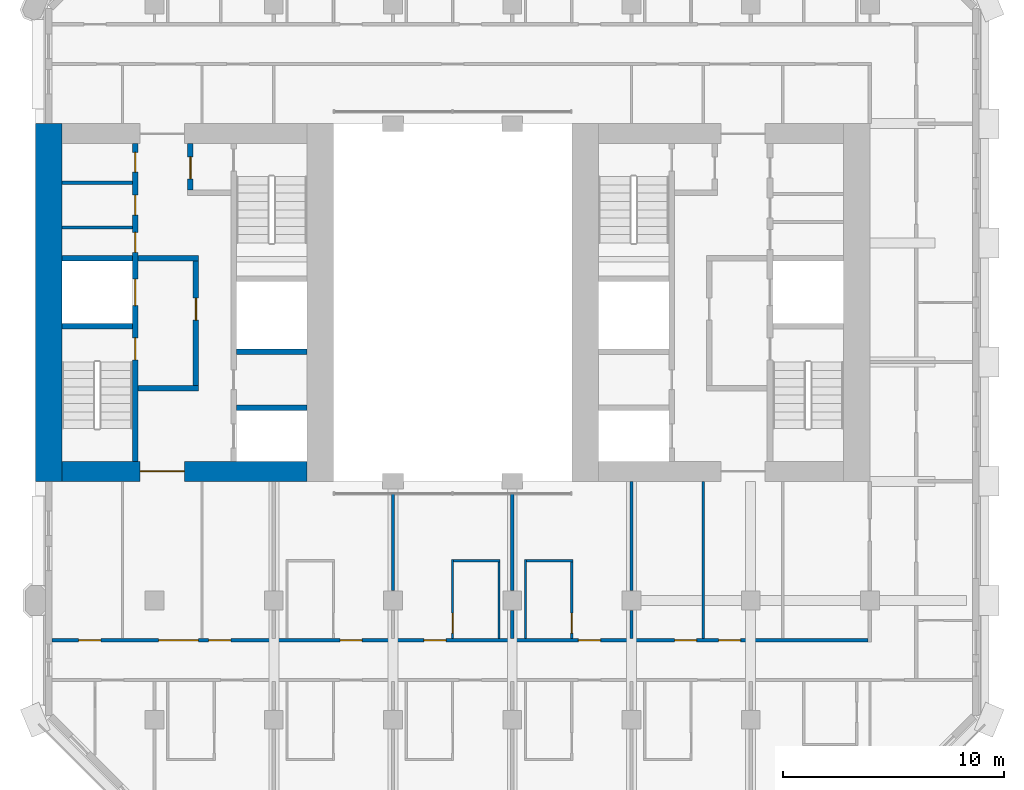
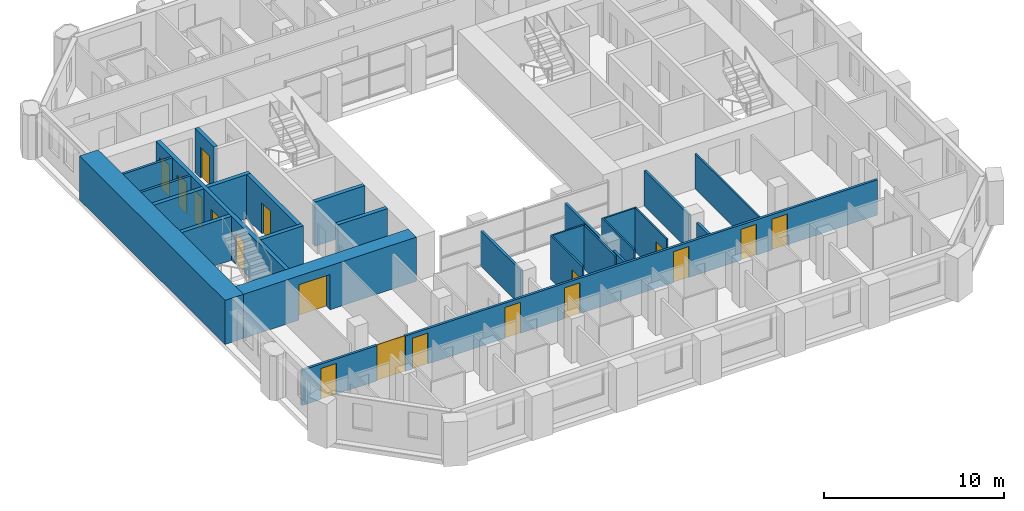
# One storey, part 9 of 16: 26 walls, 18 doors, 18 openings.
"""IFC4 building model written with IfcOpenShell, lengths in metres."""

from ifc_helpers import new_model, si_unit, direction, frame, frame_2d, origin, place, context, subcontext, project, spatial, rectangle, extrude, material, layer, layer_set, type_object, element, fill, save


model = new_model("IFC4")

# Units and contexts
model_context = context("Model", 3, precision=1e-05, world=origin(), true_north=direction((0.0, 1.0)))
body_context = subcontext(model_context, "Body", "Model", "MODEL_VIEW")
ifc_project = project(units=[si_unit("LENGTHUNIT", "METRE"), si_unit("AREAUNIT", "SQUARE_METRE"), si_unit("VOLUMEUNIT", "CUBIC_METRE"), si_unit("PLANEANGLEUNIT", "RADIAN"), si_unit("MASSUNIT", "GRAM", prefix="KILO")], contexts=[model_context])

# Site, building, storey
site_placement = place(None, origin())
site = spatial("IfcSite", under=ifc_project, at=site_placement, CompositionType="ELEMENT")
building_placement = place(site_placement, origin())
building = spatial("IfcBuilding", under=site, at=building_placement, Name="Tabaq Tower and Sports Hall", CompositionType="ELEMENT")
storey_placement = place(building_placement, frame((0.0, 0.0, 156.10009765625)))
storey = spatial("IfcBuildingStorey", under=building, at=storey_placement, Name="L36", CompositionType="ELEMENT", Elevation=156.10009765625)

# Walls
ifc_material_1 = material(Name="Blockwork", Category="masonry")
ifc_layer_1 = layer(ifc_material_1, 0.14990234375)
ifc_layer_set_1 = layer_set([ifc_layer_1], Name="Core room partition 150 Blockwork")
wall_type_1 = type_object("IfcWallType", Name="Core room partition 150 Blockwork", PredefinedType="PARTITIONING", material=ifc_layer_set_1)
for number, where, z_axis, x_axis, name in (
    (1, (6.60009765625, 27.694091796875, 0.0), (0.0, 0.0, 1.0), (1.0, 0.0, 0.0), "Core room partition W L36"),
    (2, (6.60009765625, 29.72412109375, 0.0), (0.0, 0.0, 1.0), (1.0, 0.0, 0.0), "Core room partition W L36"),
):
    element("IfcWall", number, at=place(storey_placement, frame(where, z_axis=z_axis, x_axis=x_axis)), inside=storey, type_object=wall_type_1, Name=name, PredefinedType="PARTITIONING", context=body_context, shape_type="SweptSolid", body=[
        extrude(rectangle(XDim=3.199951171875, YDim=0.14990234375, at=frame_2d((1.60009765625, 0.0))), origin(), (0.0, 0.0, 1.0), 3.0),
    ])
ifc_material_2 = material(Name="Concrete C50/60", Category="concrete")
ifc_layer_2 = layer(ifc_material_2, 1.199951171875)
ifc_layer_set_2 = layer_set([ifc_layer_2], Name="Core wall 1200 Concrete C50/60")
wall_type_2 = type_object("IfcWallType", Name="Core wall 1200 Concrete C50/60", PredefinedType="SOLIDWALL", material=ifc_layer_set_2)
wall_1_placement = place(storey_placement, frame((6.0, 16.199951171875, 0.0), z_axis=(0.0, 0.0, 1.0), x_axis=(0.0, 1.0, 0.0)))
element("IfcWall", 3, at=wall_1_placement, inside=storey, type_object=wall_type_2, Name="Core wall W L36", PredefinedType="SOLIDWALL", context=body_context, shape_type="SweptSolid", body=[
    extrude(rectangle(XDim=16.199951171875, YDim=1.199951171875, at=frame_2d((8.10009765625, 0.0))), origin(), (0.0, 0.0, 1.0), 3.0),
])

# Wall, opening, door
ifc_material_3 = material(Name="Concrete C50/60", Category="concrete")
ifc_layer_3 = layer(ifc_material_3, 0.89990234375)
ifc_layer_set_3 = layer_set([ifc_layer_3], Name="Core wall 900 Concrete C50/60")
wall_type_3 = type_object("IfcWallType", Name="Core wall 900 Concrete C50/60", PredefinedType="SOLIDWALL", material=ifc_layer_set_3)
wall_2_placement = place(storey_placement, frame((17.699951171875, 16.64990234375, 0.0), z_axis=(0.0, 0.0, 1.0), x_axis=(-1.0, 0.0, 0.0)))
wall_2 = element("IfcWall", 4, at=wall_2_placement, inside=storey, type_object=wall_type_3, Name="Core wall W L36", PredefinedType="SOLIDWALL", context=body_context, shape_type="SweptSolid", body=[
    extrude(rectangle(XDim=11.099853515625, YDim=0.89990234375, at=frame_2d((5.5498046875, 0.0))), origin(), (0.0, 0.0, 1.0), 3.0),
])
opening_1_placement = place(wall_2_placement, frame((5.550048828125, 0.0, 0.0)))
opening_1 = element("IfcOpeningElement", 5, at=opening_1_placement, cuts=wall_2, Name="Opening PD-WL36-01", PredefinedType="OPENING", context=body_context, shape_type="SweptSolid", body=[
    extrude(rectangle(XDim=2.0, YDim=2.39990234375, at=frame_2d((1.0, 1.199951171875))), frame((0.0, 0.449951171875, 0.0), z_axis=(0.0, -1.0, 0.0), x_axis=(1.0, 0.0, 0.0)), (0.0, 0.0, 1.0), 0.89990234375),
])
ifc_material_4 = material(Name="Steel fire door", Category="steel")
door_type_1 = type_object("IfcDoorType", Name="Core entrance door 2000", OperationType="DOUBLE_DOOR_SINGLE_SWING", PredefinedType="DOOR", material=ifc_material_4)
door_1_placement = place(opening_1_placement, origin())
door_1 = element("IfcDoor", 6, at=door_1_placement, inside=storey, type_object=door_type_1, Name="Core entrance south W L36", OperationType="DOUBLE_DOOR_SINGLE_SWING", OverallHeight=2.39990234375, OverallWidth=2.0, PredefinedType="DOOR", context=body_context, shape_type="SweptSolid", body=[
    extrude(rectangle(XDim=2.0, YDim=2.39990234375, at=frame_2d((1.0, 1.199951171875))), frame((0.0, 0.02490234375, 0.0), z_axis=(0.0, -1.0, 0.0), x_axis=(1.0, 0.0, 0.0)), (0.0, 0.0, 1.0), 0.050048828125),
])
fill(opening_1, door_1)

ifc_material_5 = material(Name="Gypsum board on steel studs", Category="steel")
ifc_layer_4 = layer(ifc_material_5, 0.10009765625)
ifc_layer_set_4 = layer_set([ifc_layer_4], Name="Partition 100 Gypsum board")
wall_type_4 = type_object("IfcWallType", Name="Partition 100 Gypsum board", PredefinedType="PARTITIONING", material=ifc_layer_set_4)
wall_3_placement = place(storey_placement, frame((24.300048828125, 9.074951171875, 0.0), z_axis=(0.0, 0.0, 1.0), x_axis=(0.0, 1.0, 0.0)))
wall_3 = element("IfcWall", 7, at=wall_3_placement, inside=storey, type_object=wall_type_4, Name="Partition wall L36", PredefinedType="PARTITIONING", context=body_context, shape_type="SweptSolid", body=[
    extrude(rectangle(XDim=3.574951171875, YDim=0.10009765625, at=frame_2d((1.78759765625, 0.0))), origin(), (0.0, 0.0, 1.0), 3.0),
])
opening_2_placement = place(wall_3_placement, frame((0.25, 0.0, 0.0)))
opening_2 = element("IfcOpeningElement", 8, at=opening_2_placement, cuts=wall_3, Name="Opening L36-015", PredefinedType="OPENING", context=body_context, shape_type="SweptSolid", body=[
    extrude(rectangle(XDim=0.89990234375, YDim=2.10009765625, at=frame_2d((0.449951171875, 1.050048828125))), frame((0.0, 0.050048828125, 0.0), z_axis=(0.0, -1.0, 0.0), x_axis=(1.0, 0.0, 0.0)), (0.0, 0.0, 1.0), 0.10009765625),
])
ifc_material_6 = material(Name="Timber leaf in steel frame", Category="steel")
door_type_2 = type_object("IfcDoorType", Name="Internal door 900 right hand", OperationType="SINGLE_SWING_RIGHT", PredefinedType="DOOR", material=ifc_material_6)
door_2_placement = place(opening_2_placement, origin())
door_2 = element("IfcDoor", 9, at=door_2_placement, inside=storey, type_object=door_type_2, Name="Internal door L36-015", OperationType="SINGLE_SWING_RIGHT", OverallHeight=2.10009765625, OverallWidth=0.89990234375, PredefinedType="DOOR", context=body_context, shape_type="SweptSolid", body=[
    extrude(rectangle(XDim=0.89990234375, YDim=2.10009765625, at=frame_2d((0.449951171875, 1.050048828125))), frame((0.0, 0.02490234375, 0.0), z_axis=(0.0, -1.0, 0.0), x_axis=(1.0, 0.0, 0.0)), (0.0, 0.0, 1.0), 0.050048828125),
])
fill(opening_2, door_2)

# Walls
wall_4_placement = place(storey_placement, frame((24.35009765625, 12.60009765625, 0.0), z_axis=(0.0, 0.0, 1.0), x_axis=(1.0, 0.0, 0.0)))
element("IfcWall", 10, at=wall_4_placement, inside=storey, type_object=wall_type_4, Name="Partition wall L36", PredefinedType="PARTITIONING", context=body_context, shape_type="SweptSolid", body=[
    extrude(rectangle(XDim=2.099853515625, YDim=0.10009765625, at=frame_2d((1.0498046875, 0.0))), origin(), (0.0, 0.0, 1.0), 3.0),
])
wall_5_placement = place(storey_placement, frame((26.39990234375, 12.550048828125, 0.0), z_axis=(0.0, 0.0, 1.0), x_axis=(0.0, -1.0, 0.0)))
element("IfcWall", 11, at=wall_5_placement, inside=storey, type_object=wall_type_4, Name="Partition wall L36", PredefinedType="PARTITIONING", context=body_context, shape_type="SweptSolid", body=[
    extrude(rectangle(XDim=3.47509765625, YDim=0.10009765625, at=frame_2d((1.737548828125, 0.0))), origin(), (0.0, 0.0, 1.0), 3.0),
])
wall_6_placement = place(storey_placement, frame((27.60009765625, 9.074951171875, 0.0), z_axis=(0.0, 0.0, 1.0), x_axis=(0.0, 1.0, 0.0)))
element("IfcWall", 12, at=wall_6_placement, inside=storey, type_object=wall_type_4, Name="Partition wall L36", PredefinedType="PARTITIONING", context=body_context, shape_type="SweptSolid", body=[
    extrude(rectangle(XDim=3.574951171875, YDim=0.10009765625, at=frame_2d((1.78759765625, 0.0))), origin(), (0.0, 0.0, 1.0), 3.0),
])
wall_7_placement = place(storey_placement, frame((27.64990234375, 12.60009765625, 0.0), z_axis=(0.0, 0.0, 1.0), x_axis=(1.0, 0.0, 0.0)))
element("IfcWall", 13, at=wall_7_placement, inside=storey, type_object=wall_type_4, Name="Partition wall L36", PredefinedType="PARTITIONING", context=body_context, shape_type="SweptSolid", body=[
    extrude(rectangle(XDim=2.10009765625, YDim=0.10009765625, at=frame_2d((1.050048828125, 0.0))), origin(), (0.0, 0.0, 1.0), 3.0),
])

# Wall, opening, door
wall_8_placement = place(storey_placement, frame((29.699951171875, 12.550048828125, 0.0), z_axis=(0.0, 0.0, 1.0), x_axis=(0.0, -1.0, 0.0)))
wall_8 = element("IfcWall", 14, at=wall_8_placement, inside=storey, type_object=wall_type_4, Name="Partition wall L36", PredefinedType="PARTITIONING", context=body_context, shape_type="SweptSolid", body=[
    extrude(rectangle(XDim=3.47509765625, YDim=0.10009765625, at=frame_2d((1.737548828125, 0.0))), origin(), (0.0, 0.0, 1.0), 3.0),
])
opening_3_placement = place(wall_8_placement, frame((2.324951171875, 0.0, 0.0)))
opening_3 = element("IfcOpeningElement", 15, at=opening_3_placement, cuts=wall_8, Name="Opening L36-016", PredefinedType="OPENING", context=body_context, shape_type="SweptSolid", body=[
    extrude(rectangle(XDim=0.89990234375, YDim=2.10009765625, at=frame_2d((0.449951171875, 1.050048828125))), frame((0.0, 0.050048828125, 0.0), z_axis=(0.0, -1.0, 0.0), x_axis=(1.0, 0.0, 0.0)), (0.0, 0.0, 1.0), 0.10009765625),
])
ifc_material_7 = material(Name="Timber leaf in steel frame", Category="steel")
door_type_3 = type_object("IfcDoorType", Name="Internal door 900 left hand", OperationType="SINGLE_SWING_LEFT", PredefinedType="DOOR", material=ifc_material_7)
door_3_placement = place(opening_3_placement, origin())
door_3 = element("IfcDoor", 16, at=door_3_placement, inside=storey, type_object=door_type_3, Name="Internal door L36-016", OperationType="SINGLE_SWING_LEFT", OverallHeight=2.10009765625, OverallWidth=0.89990234375, PredefinedType="DOOR", context=body_context, shape_type="SweptSolid", body=[
    extrude(rectangle(XDim=0.89990234375, YDim=2.10009765625, at=frame_2d((0.449951171875, 1.050048828125))), frame((0.0, 0.02490234375, 0.0), z_axis=(0.0, -1.0, 0.0), x_axis=(1.0, 0.0, 0.0)), (0.0, 0.0, 1.0), 0.050048828125),
])
fill(opening_3, door_3)

# Walls
wall_9_placement = place(storey_placement, frame((35.64990234375, 16.199951171875, 0.0), z_axis=(0.0, 0.0, 1.0), x_axis=(0.0, -1.0, 0.0)))
element("IfcWall", 17, at=wall_9_placement, inside=storey, type_object=wall_type_4, Name="Partition wall L36", PredefinedType="PARTITIONING", context=body_context, shape_type="SweptSolid", body=[
    extrude(rectangle(XDim=7.125, YDim=0.10009765625, at=frame_2d((3.5625, 0.0))), origin(), (0.0, 0.0, 1.0), 2.39990234375),
])
ifc_material_8 = material(Name="Blockwork", Category="masonry")
ifc_layer_5 = layer(ifc_material_8, 0.14990234375)
ifc_layer_set_5 = layer_set([ifc_layer_5], Name="Separating wall 150 Blockwork")
wall_type_5 = type_object("IfcWallType", Name="Separating wall 150 Blockwork", PredefinedType="PARTITIONING", material=ifc_layer_set_5)
wall_10_placement = place(storey_placement, frame((21.60009765625, 11.2451171875, 0.0), z_axis=(0.0, 0.0, 1.0), x_axis=(0.0, 1.0, 0.0)))
element("IfcWall", 18, at=wall_10_placement, inside=storey, type_object=wall_type_5, Name="Separating wall L36", PredefinedType="PARTITIONING", context=body_context, shape_type="SweptSolid", body=[
    extrude(rectangle(XDim=4.4599609375, YDim=0.14990234375, at=frame_2d((2.22998046875, 0.0))), origin(), (0.0, 0.0, 1.0), 2.39990234375),
])
wall_11_placement = place(storey_placement, frame((27.0, 9.074951171875, 0.0), z_axis=(0.0, 0.0, 1.0), x_axis=(0.0, 1.0, 0.0)))
element("IfcWall", 19, at=wall_11_placement, inside=storey, type_object=wall_type_5, Name="Separating wall L36", PredefinedType="PARTITIONING", context=body_context, shape_type="SweptSolid", body=[
    extrude(rectangle(XDim=1.280029296875, YDim=0.14990234375, at=frame_2d((0.64013671875, 0.0))), origin(), (0.0, 0.0, 1.0), 2.39990234375),
])
wall_12_placement = place(storey_placement, frame((27.0, 11.2451171875, 0.0), z_axis=(0.0, 0.0, 1.0), x_axis=(0.0, 1.0, 0.0)))
element("IfcWall", 20, at=wall_12_placement, inside=storey, type_object=wall_type_5, Name="Separating wall L36", PredefinedType="PARTITIONING", context=body_context, shape_type="SweptSolid", body=[
    extrude(rectangle(XDim=4.4599609375, YDim=0.14990234375, at=frame_2d((2.22998046875, 0.0))), origin(), (0.0, 0.0, 1.0), 2.39990234375),
])
wall_13_placement = place(storey_placement, frame((32.39990234375, 9.074951171875, 0.0), z_axis=(0.0, 0.0, 1.0), x_axis=(0.0, 1.0, 0.0)))
element("IfcWall", 21, at=wall_13_placement, inside=storey, type_object=wall_type_5, Name="Separating wall L36", PredefinedType="PARTITIONING", context=body_context, shape_type="SweptSolid", body=[
    extrude(rectangle(XDim=1.280029296875, YDim=0.14990234375, at=frame_2d((0.64013671875, 0.0))), origin(), (0.0, 0.0, 1.0), 2.39990234375),
])
wall_14_placement = place(storey_placement, frame((32.39990234375, 11.2451171875, 0.0), z_axis=(0.0, 0.0, 1.0), x_axis=(0.0, 1.0, 0.0)))
element("IfcWall", 22, at=wall_14_placement, inside=storey, type_object=wall_type_5, Name="Separating wall L36", PredefinedType="PARTITIONING", context=body_context, shape_type="SweptSolid", body=[
    extrude(rectangle(XDim=4.954833984375, YDim=0.14990234375, at=frame_2d((2.4775390625, 0.0))), origin(), (0.0, 0.0, 1.0), 2.39990234375),
])

# Wall, openings, doors
wall_15_placement = place(storey_placement, frame((6.15087890625, 9.0, 0.0), z_axis=(0.0, 0.0, 1.0), x_axis=(1.0, 0.0, 0.0)))
wall_15 = element("IfcWall", 23, at=wall_15_placement, inside=storey, type_object=wall_type_5, Name="Separating wall L36", PredefinedType="PARTITIONING", context=body_context, shape_type="SweptSolid", body=[
    extrude(rectangle(XDim=36.97412109375, YDim=0.14990234375, at=frame_2d((18.487060546875, 0.0))), origin(), (0.0, 0.0, 1.0), 2.39990234375),
])
opening_4_placement = place(wall_15_placement, frame((1.214111328125, 0.0, 0.0)))
opening_4 = element("IfcOpeningElement", 24, at=opening_4_placement, cuts=wall_15, Name="Opening L36-026", PredefinedType="OPENING", context=body_context, shape_type="SweptSolid", body=[
    extrude(rectangle(XDim=1.0, YDim=2.10009765625, at=frame_2d((0.5, 1.050048828125))), frame((0.0, 0.074951171875, 0.0), z_axis=(0.0, -1.0, 0.0), x_axis=(1.0, 0.0, 0.0)), (0.0, 0.0, 1.0), 0.14990234375),
])
opening_5_placement = place(wall_15_placement, frame((28.198974609375, 0.0, 0.0)))
opening_5 = element("IfcOpeningElement", 25, at=opening_5_placement, cuts=wall_15, Name="Opening L36-027", PredefinedType="OPENING", context=body_context, shape_type="SweptSolid", body=[
    extrude(rectangle(XDim=1.0, YDim=2.10009765625, at=frame_2d((0.5, 1.050048828125))), frame((0.0, 0.074951171875, 0.0), z_axis=(0.0, -1.0, 0.0), x_axis=(1.0, 0.0, 0.0)), (0.0, 0.0, 1.0), 0.14990234375),
])
opening_6_placement = place(wall_15_placement, frame((7.09912109375, 0.0, 0.0)))
opening_6 = element("IfcOpeningElement", 26, at=opening_6_placement, cuts=wall_15, Name="Opening L36-029", PredefinedType="OPENING", context=body_context, shape_type="SweptSolid", body=[
    extrude(rectangle(XDim=1.0, YDim=2.10009765625, at=frame_2d((0.5, 1.050048828125))), frame((0.0, 0.074951171875, 0.0), z_axis=(0.0, -1.0, 0.0), x_axis=(1.0, 0.0, 0.0)), (0.0, 0.0, 1.0), 0.14990234375),
])
opening_7_placement = place(wall_15_placement, frame((13.049072265625, 0.0, 0.0)))
opening_7 = element("IfcOpeningElement", 27, at=opening_7_placement, cuts=wall_15, Name="Opening L36-041", PredefinedType="OPENING", context=body_context, shape_type="SweptSolid", body=[
    extrude(rectangle(XDim=1.0, YDim=2.10009765625, at=frame_2d((0.5, 1.050048828125))), frame((0.0, 0.074951171875, 0.0), z_axis=(0.0, -1.0, 0.0), x_axis=(1.0, 0.0, 0.0)), (0.0, 0.0, 1.0), 0.14990234375),
])
opening_8_placement = place(wall_15_placement, frame((16.84912109375, 0.0, 0.0)))
opening_8 = element("IfcOpeningElement", 28, at=opening_8_placement, cuts=wall_15, Name="Opening L36-042", PredefinedType="OPENING", context=body_context, shape_type="SweptSolid", body=[
    extrude(rectangle(XDim=1.0, YDim=2.10009765625, at=frame_2d((0.5, 1.050048828125))), frame((0.0, 0.074951171875, 0.0), z_axis=(0.0, -1.0, 0.0), x_axis=(1.0, 0.0, 0.0)), (0.0, 0.0, 1.0), 0.14990234375),
])
opening_9_placement = place(wall_15_placement, frame((23.84912109375, 0.0, 0.0)))
opening_9 = element("IfcOpeningElement", 29, at=opening_9_placement, cuts=wall_15, Name="Opening L36-043", PredefinedType="OPENING", context=body_context, shape_type="SweptSolid", body=[
    extrude(rectangle(XDim=1.0, YDim=2.10009765625, at=frame_2d((0.5, 1.050048828125))), frame((0.0, 0.074951171875, 0.0), z_axis=(0.0, -1.0, 0.0), x_axis=(1.0, 0.0, 0.0)), (0.0, 0.0, 1.0), 0.14990234375),
])
opening_10_placement = place(wall_15_placement, frame((4.8291015625, 0.0, 0.0)))
opening_10 = element("IfcOpeningElement", 30, at=opening_10_placement, cuts=wall_15, Name="Opening L36-053", PredefinedType="OPENING", context=body_context, shape_type="SweptSolid", body=[
    extrude(rectangle(XDim=1.800048828125, YDim=2.39990234375, at=frame_2d((0.89990234375, 1.199951171875))), frame((0.0, 0.074951171875, 0.0), z_axis=(0.0, -1.0, 0.0), x_axis=(1.0, 0.0, 0.0)), (0.0, 0.0, 1.0), 0.14990234375),
])
opening_11_placement = place(wall_15_placement, frame((30.198974609375, 0.0, 0.0)))
opening_11 = element("IfcOpeningElement", 31, at=opening_11_placement, cuts=wall_15, Name="Opening L36-054", PredefinedType="OPENING", context=body_context, shape_type="SweptSolid", body=[
    extrude(rectangle(XDim=1.0, YDim=2.10009765625, at=frame_2d((0.5, 1.050048828125))), frame((0.0, 0.074951171875, 0.0), z_axis=(0.0, -1.0, 0.0), x_axis=(1.0, 0.0, 0.0)), (0.0, 0.0, 1.0), 0.14990234375),
])
ifc_material_9 = material(Name="Steel fire door", Category="steel")
door_type_4 = type_object("IfcDoorType", Name="Entrance door 1000 left hand", OperationType="SINGLE_SWING_LEFT", PredefinedType="DOOR", material=ifc_material_9)
door_4_placement = place(opening_8_placement, origin())
door_4 = element("IfcDoor", 32, at=door_4_placement, inside=storey, type_object=door_type_4, Name="Entrance door L36-042", OperationType="SINGLE_SWING_LEFT", OverallHeight=2.10009765625, OverallWidth=1.0, PredefinedType="DOOR", context=body_context, shape_type="SweptSolid", body=[
    extrude(rectangle(XDim=1.0, YDim=2.10009765625, at=frame_2d((0.5, 1.050048828125))), frame((0.0, 0.02490234375, 0.0), z_axis=(0.0, -1.0, 0.0), x_axis=(1.0, 0.0, 0.0)), (0.0, 0.0, 1.0), 0.050048828125),
])
fill(opening_8, door_4)
ifc_material_10 = material(Name="Steel fire door", Category="steel")
door_type_5 = type_object("IfcDoorType", Name="Entrance door 1000 right hand", OperationType="SINGLE_SWING_RIGHT", PredefinedType="DOOR", material=ifc_material_10)
door_5_placement = place(opening_7_placement, origin())
door_5 = element("IfcDoor", 33, at=door_5_placement, inside=storey, type_object=door_type_5, Name="Entrance door L36-041", OperationType="SINGLE_SWING_RIGHT", OverallHeight=2.10009765625, OverallWidth=1.0, PredefinedType="DOOR", context=body_context, shape_type="SweptSolid", body=[
    extrude(rectangle(XDim=1.0, YDim=2.10009765625, at=frame_2d((0.5, 1.050048828125))), frame((0.0, 0.02490234375, 0.0), z_axis=(0.0, -1.0, 0.0), x_axis=(1.0, 0.0, 0.0)), (0.0, 0.0, 1.0), 0.050048828125),
])
fill(opening_7, door_5)
door_6_placement = place(opening_9_placement, origin())
door_6 = element("IfcDoor", 34, at=door_6_placement, inside=storey, type_object=door_type_5, Name="Entrance door L36-043", OperationType="SINGLE_SWING_RIGHT", OverallHeight=2.10009765625, OverallWidth=1.0, PredefinedType="DOOR", context=body_context, shape_type="SweptSolid", body=[
    extrude(rectangle(XDim=1.0, YDim=2.10009765625, at=frame_2d((0.5, 1.050048828125))), frame((0.0, 0.02490234375, 0.0), z_axis=(0.0, -1.0, 0.0), x_axis=(1.0, 0.0, 0.0)), (0.0, 0.0, 1.0), 0.050048828125),
])
fill(opening_9, door_6)
ifc_material_11 = material(Name="Timber leaf in steel frame", Category="steel")
door_type_6 = type_object("IfcDoorType", Name="Internal door 1000 left hand", OperationType="SINGLE_SWING_LEFT", PredefinedType="DOOR", material=ifc_material_11)
door_7_placement = place(opening_6_placement, origin())
door_7 = element("IfcDoor", 35, at=door_7_placement, inside=storey, type_object=door_type_6, Name="Internal door L36-029", OperationType="SINGLE_SWING_LEFT", OverallHeight=2.10009765625, OverallWidth=1.0, PredefinedType="DOOR", context=body_context, shape_type="SweptSolid", body=[
    extrude(rectangle(XDim=1.0, YDim=2.10009765625, at=frame_2d((0.5, 1.050048828125))), frame((0.0, 0.02490234375, 0.0), z_axis=(0.0, -1.0, 0.0), x_axis=(1.0, 0.0, 0.0)), (0.0, 0.0, 1.0), 0.050048828125),
])
fill(opening_6, door_7)
ifc_material_12 = material(Name="Timber leaf in steel frame", Category="steel")
door_type_7 = type_object("IfcDoorType", Name="Internal door 1000 right hand", OperationType="SINGLE_SWING_RIGHT", PredefinedType="DOOR", material=ifc_material_12)
door_8_placement = place(opening_4_placement, origin())
door_8 = element("IfcDoor", 36, at=door_8_placement, inside=storey, type_object=door_type_7, Name="Internal door L36-026", OperationType="SINGLE_SWING_RIGHT", OverallHeight=2.10009765625, OverallWidth=1.0, PredefinedType="DOOR", context=body_context, shape_type="SweptSolid", body=[
    extrude(rectangle(XDim=1.0, YDim=2.10009765625, at=frame_2d((0.5, 1.050048828125))), frame((0.0, 0.02490234375, 0.0), z_axis=(0.0, -1.0, 0.0), x_axis=(1.0, 0.0, 0.0)), (0.0, 0.0, 1.0), 0.050048828125),
])
fill(opening_4, door_8)
door_9_placement = place(opening_5_placement, origin())
door_9 = element("IfcDoor", 37, at=door_9_placement, inside=storey, type_object=door_type_7, Name="Internal door L36-027", OperationType="SINGLE_SWING_RIGHT", OverallHeight=2.10009765625, OverallWidth=1.0, PredefinedType="DOOR", context=body_context, shape_type="SweptSolid", body=[
    extrude(rectangle(XDim=1.0, YDim=2.10009765625, at=frame_2d((0.5, 1.050048828125))), frame((0.0, 0.02490234375, 0.0), z_axis=(0.0, -1.0, 0.0), x_axis=(1.0, 0.0, 0.0)), (0.0, 0.0, 1.0), 0.050048828125),
])
fill(opening_5, door_9)
door_10_placement = place(opening_11_placement, origin())
door_10 = element("IfcDoor", 38, at=door_10_placement, inside=storey, type_object=door_type_7, Name="Internal door L36-054", OperationType="SINGLE_SWING_RIGHT", OverallHeight=2.10009765625, OverallWidth=1.0, PredefinedType="DOOR", context=body_context, shape_type="SweptSolid", body=[
    extrude(rectangle(XDim=1.0, YDim=2.10009765625, at=frame_2d((0.5, 1.050048828125))), frame((0.0, 0.02490234375, 0.0), z_axis=(0.0, -1.0, 0.0), x_axis=(1.0, 0.0, 0.0)), (0.0, 0.0, 1.0), 0.050048828125),
])
fill(opening_11, door_10)
ifc_material_13 = material(Name="Timber leaf in steel frame", Category="steel")
door_type_8 = type_object("IfcDoorType", Name="Internal door 1800", OperationType="DOUBLE_DOOR_SINGLE_SWING", PredefinedType="DOOR", material=ifc_material_13)
door_11_placement = place(opening_10_placement, origin())
door_11 = element("IfcDoor", 39, at=door_11_placement, inside=storey, type_object=door_type_8, Name="Internal door L36-053", OperationType="DOUBLE_DOOR_SINGLE_SWING", OverallHeight=2.39990234375, OverallWidth=1.800048828125, PredefinedType="DOOR", context=body_context, shape_type="SweptSolid", body=[
    extrude(rectangle(XDim=1.800048828125, YDim=2.39990234375, at=frame_2d((0.89990234375, 1.199951171875))), frame((0.0, 0.02490234375, 0.0), z_axis=(0.0, -1.0, 0.0), x_axis=(1.0, 0.0, 0.0)), (0.0, 0.0, 1.0), 0.050048828125),
])
fill(opening_10, door_11)

ifc_material_14 = material(Name="Concrete C40/50", Category="concrete")
ifc_layer_6 = layer(ifc_material_14, 0.25)
ifc_layer_set_6 = layer_set([ifc_layer_6], Name="Shaft and stair wall 250 Concrete C40/50")
wall_type_6 = type_object("IfcWallType", Name="Shaft and stair wall 250 Concrete C40/50", PredefinedType="SOLIDWALL", material=ifc_layer_set_6)
wall_16_placement = place(storey_placement, frame((9.925048828125, 17.10009765625, 0.0), z_axis=(0.0, 0.0, 1.0), x_axis=(0.0, 1.0, 0.0)))
wall_16 = element("IfcWall", 40, at=wall_16_placement, inside=storey, type_object=wall_type_6, Name="Shaft wall W L36", PredefinedType="SOLIDWALL", context=body_context, shape_type="SweptSolid", body=[
    extrude(rectangle(XDim=14.39990234375, YDim=0.25, at=frame_2d((7.199951171875, 0.0))), origin(), (0.0, 0.0, 1.0), 3.0),
])
opening_12_placement = place(wall_16_placement, frame((4.60009765625, 0.0, 0.0)))
opening_12 = element("IfcOpeningElement", 41, at=opening_12_placement, cuts=wall_16, Name="Opening SD-WL36-03", PredefinedType="OPENING", context=body_context, shape_type="SweptSolid", body=[
    extrude(rectangle(XDim=1.0, YDim=2.10009765625, at=frame_2d((0.5, 1.050048828125))), frame((0.0, 0.125, 0.0), z_axis=(0.0, -1.0, 0.0), x_axis=(1.0, 0.0, 0.0)), (0.0, 0.0, 1.0), 0.25),
])
opening_13_placement = place(wall_16_placement, frame((7.0625, 0.0, 0.0)))
opening_13 = element("IfcOpeningElement", 42, at=opening_13_placement, cuts=wall_16, Name="Opening LD-FF1-L36", PredefinedType="OPENING", context=body_context, shape_type="SweptSolid", body=[
    extrude(rectangle(XDim=1.199951171875, YDim=2.10009765625, at=frame_2d((0.60009765625, 1.050048828125))), frame((0.0, 0.125, 0.0), z_axis=(0.0, -1.0, 0.0), x_axis=(1.0, 0.0, 0.0)), (0.0, 0.0, 1.0), 0.25),
])
opening_14_placement = place(wall_16_placement, frame((9.471923828125, 0.0, 0.0)))
opening_14 = element("IfcOpeningElement", 43, at=opening_14_placement, cuts=wall_16, Name="Opening RD-WL36-09", PredefinedType="OPENING", context=body_context, shape_type="SweptSolid", body=[
    extrude(rectangle(XDim=0.89990234375, YDim=2.10009765625, at=frame_2d((0.449951171875, 1.050048828125))), frame((0.0, 0.125, 0.0), z_axis=(0.0, -1.0, 0.0), x_axis=(1.0, 0.0, 0.0)), (0.0, 0.0, 1.0), 0.25),
])
opening_15_placement = place(wall_16_placement, frame((11.158935546875, 0.0, 0.0)))
opening_15 = element("IfcOpeningElement", 44, at=opening_15_placement, cuts=wall_16, Name="Opening RD-WL36-10", PredefinedType="OPENING", context=body_context, shape_type="SweptSolid", body=[
    extrude(rectangle(XDim=0.89990234375, YDim=2.10009765625, at=frame_2d((0.449951171875, 1.050048828125))), frame((0.0, 0.125, 0.0), z_axis=(0.0, -1.0, 0.0), x_axis=(1.0, 0.0, 0.0)), (0.0, 0.0, 1.0), 0.25),
])
opening_16_placement = place(wall_16_placement, frame((13.099609375, 0.0, 0.0)))
opening_16 = element("IfcOpeningElement", 45, at=opening_16_placement, cuts=wall_16, Name="Opening RD-WL36-11", PredefinedType="OPENING", context=body_context, shape_type="SweptSolid", body=[
    extrude(rectangle(XDim=0.89990234375, YDim=2.10009765625, at=frame_2d((0.449951171875, 1.050048828125))), frame((0.0, 0.125, 0.0), z_axis=(0.0, -1.0, 0.0), x_axis=(1.0, 0.0, 0.0)), (0.0, 0.0, 1.0), 0.25),
])
ifc_material_15 = material(Name="Steel fire door", Category="steel")
door_type_9 = type_object("IfcDoorType", Name="Core room door 900", OperationType="SINGLE_SWING_LEFT", PredefinedType="DOOR", material=ifc_material_15)
door_12_placement = place(opening_14_placement, origin())
door_12 = element("IfcDoor", 46, at=door_12_placement, inside=storey, type_object=door_type_9, Name="Door Electrical Riser Room W L36", OperationType="SINGLE_SWING_LEFT", OverallHeight=2.10009765625, OverallWidth=0.89990234375, PredefinedType="DOOR", context=body_context, shape_type="SweptSolid", body=[
    extrude(rectangle(XDim=0.89990234375, YDim=2.10009765625, at=frame_2d((0.449951171875, 1.050048828125))), frame((0.0, 0.02490234375, 0.0), z_axis=(0.0, -1.0, 0.0), x_axis=(1.0, 0.0, 0.0)), (0.0, 0.0, 1.0), 0.050048828125),
])
fill(opening_14, door_12)
door_13_placement = place(opening_15_placement, origin())
door_13 = element("IfcDoor", 47, at=door_13_placement, inside=storey, type_object=door_type_9, Name="Door Unisex WC W L36", OperationType="SINGLE_SWING_LEFT", OverallHeight=2.10009765625, OverallWidth=0.89990234375, PredefinedType="DOOR", context=body_context, shape_type="SweptSolid", body=[
    extrude(rectangle(XDim=0.89990234375, YDim=2.10009765625, at=frame_2d((0.449951171875, 1.050048828125))), frame((0.0, 0.02490234375, 0.0), z_axis=(0.0, -1.0, 0.0), x_axis=(1.0, 0.0, 0.0)), (0.0, 0.0, 1.0), 0.050048828125),
])
fill(opening_15, door_13)
door_14_placement = place(opening_16_placement, origin())
door_14 = element("IfcDoor", 48, at=door_14_placement, inside=storey, type_object=door_type_9, Name="Door Accessible WC W L36", OperationType="SINGLE_SWING_LEFT", OverallHeight=2.10009765625, OverallWidth=0.89990234375, PredefinedType="DOOR", context=body_context, shape_type="SweptSolid", body=[
    extrude(rectangle(XDim=0.89990234375, YDim=2.10009765625, at=frame_2d((0.449951171875, 1.050048828125))), frame((0.0, 0.02490234375, 0.0), z_axis=(0.0, -1.0, 0.0), x_axis=(1.0, 0.0, 0.0)), (0.0, 0.0, 1.0), 0.050048828125),
])
fill(opening_16, door_14)
ifc_material_16 = material(Name="Stainless steel", Category="steel")
door_type_10 = type_object("IfcDoorType", Name="Lift landing door 1200", OperationType="DOUBLE_DOOR_SLIDING", PredefinedType="DOOR", material=ifc_material_16)
door_15_placement = place(opening_13_placement, origin())
door_15 = element("IfcDoor", 49, at=door_15_placement, inside=storey, type_object=door_type_10, Name="Lift landing door FF1 W L36", OperationType="DOUBLE_DOOR_SLIDING", OverallHeight=2.10009765625, OverallWidth=1.199951171875, PredefinedType="DOOR", context=body_context, shape_type="SweptSolid", body=[
    extrude(rectangle(XDim=1.199951171875, YDim=2.10009765625, at=frame_2d((0.60009765625, 1.050048828125))), frame((0.0, 0.02490234375, 0.0), z_axis=(0.0, -1.0, 0.0), x_axis=(1.0, 0.0, 0.0)), (0.0, 0.0, 1.0), 0.050048828125),
])
fill(opening_13, door_15)
ifc_material_17 = material(Name="Steel fire door", Category="steel")
door_type_11 = type_object("IfcDoorType", Name="Stair door 1000", OperationType="SINGLE_SWING_LEFT", PredefinedType="DOOR", material=ifc_material_17)
door_16_placement = place(opening_12_placement, origin())
door_16 = element("IfcDoor", 50, at=door_16_placement, inside=storey, type_object=door_type_11, Name="Stair door ST1 W L36", OperationType="SINGLE_SWING_LEFT", OverallHeight=2.10009765625, OverallWidth=1.0, PredefinedType="DOOR", context=body_context, shape_type="SweptSolid", body=[
    extrude(rectangle(XDim=1.0, YDim=2.10009765625, at=frame_2d((0.5, 1.050048828125))), frame((0.0, 0.02490234375, 0.0), z_axis=(0.0, -1.0, 0.0), x_axis=(1.0, 0.0, 0.0)), (0.0, 0.0, 1.0), 0.050048828125),
])
fill(opening_12, door_16)

# Walls
for number, where, z_axis, x_axis, name in (
    (51, (6.60009765625, 23.22509765625, 0.0), (0.0, 0.0, 1.0), (1.0, 0.0, 0.0), "Stair enclosure wall W L36"),
    (52, (14.5, 22.074951171875, 0.0), (0.0, 0.0, 1.0), (1.0, 0.0, 0.0), "Shaft wall W L36"),
    (53, (6.60009765625, 26.300048828125, 0.0), (0.0, 0.0, 1.0), (1.0, 0.0, 0.0), "Shaft wall W L36"),
):
    element("IfcWall", number, at=place(storey_placement, frame(where, z_axis=z_axis, x_axis=x_axis)), inside=storey, type_object=wall_type_6, Name=name, PredefinedType="SOLIDWALL", context=body_context, shape_type="SweptSolid", body=[
        extrude(rectangle(XDim=3.199951171875, YDim=0.25, at=frame_2d((1.60009765625, 0.0))), origin(), (0.0, 0.0, 1.0), 3.0),
    ])
for number, where, z_axis, x_axis, name in (
    (54, (10.050048828125, 26.300048828125, 0.0), (0.0, 0.0, 1.0), (1.0, 0.0, 0.0), "Fire-fighting lobby wall W L36"),
    (55, (10.050048828125, 20.425048828125, 0.0), (0.0, 0.0, 1.0), (1.0, 0.0, 0.0), "Fire-fighting lobby wall W L36"),
):
    element("IfcWall", number, at=place(storey_placement, frame(where, z_axis=z_axis, x_axis=x_axis)), inside=storey, type_object=wall_type_6, Name=name, PredefinedType="SOLIDWALL", context=body_context, shape_type="SweptSolid", body=[
        extrude(rectangle(XDim=2.75, YDim=0.25, at=frame_2d((1.375, 0.0))), origin(), (0.0, 0.0, 1.0), 3.0),
    ])

# Wall, opening, door
wall_17_placement = place(storey_placement, frame((12.425048828125, 29.39990234375, 0.0), z_axis=(0.0, 0.0, 1.0), x_axis=(0.0, 1.0, 0.0)))
wall_17 = element("IfcWall", 56, at=wall_17_placement, inside=storey, type_object=wall_type_6, Name="Fire-fighting lobby wall W L36", PredefinedType="SOLIDWALL", context=body_context, shape_type="SweptSolid", body=[
    extrude(rectangle(XDim=2.10009765625, YDim=0.25, at=frame_2d((1.050048828125, 0.0))), origin(), (0.0, 0.0, 1.0), 3.0),
])
opening_17_placement = place(wall_17_placement, frame((0.5, 0.0, 0.0)))
opening_17 = element("IfcOpeningElement", 57, at=opening_17_placement, cuts=wall_17, Name="Opening FD-WL36-06", PredefinedType="OPENING", context=body_context, shape_type="SweptSolid", body=[
    extrude(rectangle(XDim=1.0, YDim=2.10009765625, at=frame_2d((0.5, 1.050048828125))), frame((0.0, 0.125, 0.0), z_axis=(0.0, -1.0, 0.0), x_axis=(1.0, 0.0, 0.0)), (0.0, 0.0, 1.0), 0.25),
])
ifc_material_18 = material(Name="Steel fire door", Category="steel")
door_type_12 = type_object("IfcDoorType", Name="Fire-fighting lobby door 1000", OperationType="SINGLE_SWING_LEFT", PredefinedType="DOOR", material=ifc_material_18)
door_17_placement = place(opening_17_placement, origin())
door_17 = element("IfcDoor", 58, at=door_17_placement, inside=storey, type_object=door_type_12, Name="Stair lobby door W L36", OperationType="SINGLE_SWING_LEFT", OverallHeight=2.10009765625, OverallWidth=1.0, PredefinedType="DOOR", context=body_context, shape_type="SweptSolid", body=[
    extrude(rectangle(XDim=1.0, YDim=2.10009765625, at=frame_2d((0.5, 1.050048828125))), frame((0.0, 0.02490234375, 0.0), z_axis=(0.0, -1.0, 0.0), x_axis=(1.0, 0.0, 0.0)), (0.0, 0.0, 1.0), 0.050048828125),
])
fill(opening_17, door_17)

wall_18_placement = place(storey_placement, frame((12.675048828125, 20.550048828125, 0.0), z_axis=(0.0, 0.0, 1.0), x_axis=(0.0, 1.0, 0.0)))
wall_18 = element("IfcWall", 59, at=wall_18_placement, inside=storey, type_object=wall_type_6, Name="Fire-fighting lobby wall W L36", PredefinedType="SOLIDWALL", context=body_context, shape_type="SweptSolid", body=[
    extrude(rectangle(XDim=5.625, YDim=0.25, at=frame_2d((2.8125, 0.0))), origin(), (0.0, 0.0, 1.0), 3.0),
])
opening_18_placement = place(wall_18_placement, frame((2.949951171875, 0.0, 0.0)))
opening_18 = element("IfcOpeningElement", 60, at=opening_18_placement, cuts=wall_18, Name="Opening FD-WL36-04", PredefinedType="OPENING", context=body_context, shape_type="SweptSolid", body=[
    extrude(rectangle(XDim=1.0, YDim=2.10009765625, at=frame_2d((0.5, 1.050048828125))), frame((0.0, 0.125, 0.0), z_axis=(0.0, -1.0, 0.0), x_axis=(1.0, 0.0, 0.0)), (0.0, 0.0, 1.0), 0.25),
])
door_18_placement = place(opening_18_placement, origin())
door_18 = element("IfcDoor", 61, at=door_18_placement, inside=storey, type_object=door_type_12, Name="Fire-fighting lobby door W L36", OperationType="SINGLE_SWING_LEFT", OverallHeight=2.10009765625, OverallWidth=1.0, PredefinedType="DOOR", context=body_context, shape_type="SweptSolid", body=[
    extrude(rectangle(XDim=1.0, YDim=2.10009765625, at=frame_2d((0.5, 1.050048828125))), frame((0.0, 0.02490234375, 0.0), z_axis=(0.0, -1.0, 0.0), x_axis=(1.0, 0.0, 0.0)), (0.0, 0.0, 1.0), 0.050048828125),
])
fill(opening_18, door_18)

# Wall
wall_19_placement = place(storey_placement, frame((14.5, 19.52490234375, 0.0), z_axis=(0.0, 0.0, 1.0), x_axis=(1.0, 0.0, 0.0)))
element("IfcWall", 62, at=wall_19_placement, inside=storey, type_object=wall_type_6, Name="Shaft wall W L36", PredefinedType="SOLIDWALL", context=body_context, shape_type="SweptSolid", body=[
    extrude(rectangle(XDim=3.199951171875, YDim=0.25, at=frame_2d((1.60009765625, 0.0))), origin(), (0.0, 0.0, 1.0), 3.0),
])

save(model, "model.ifc")
